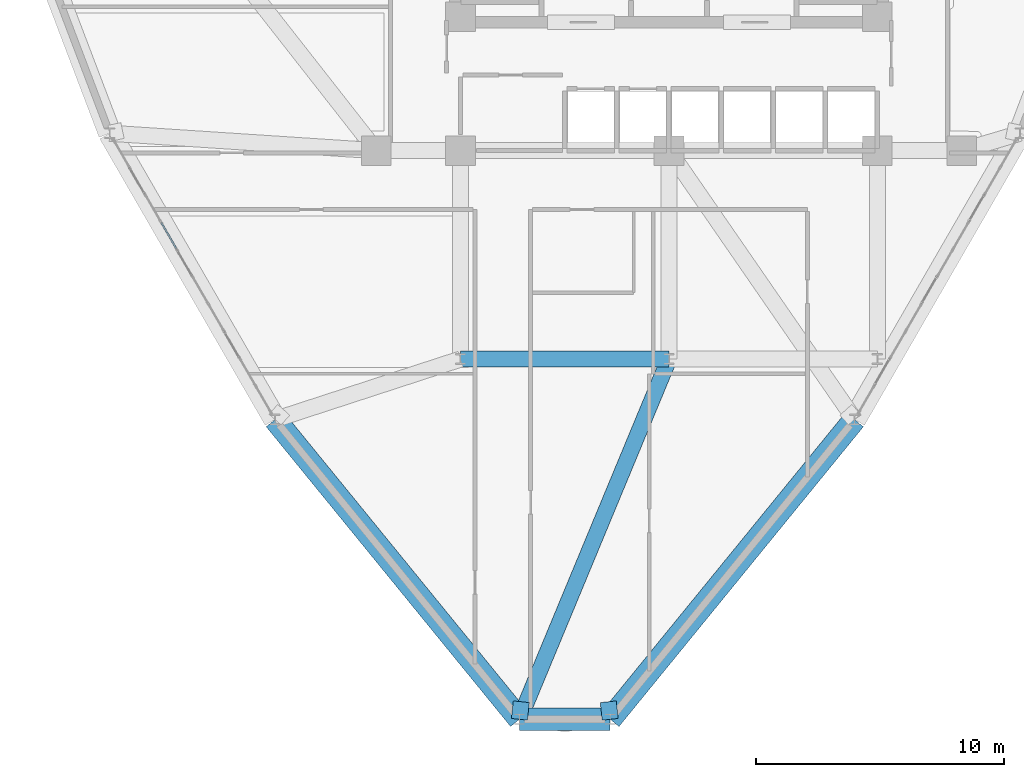
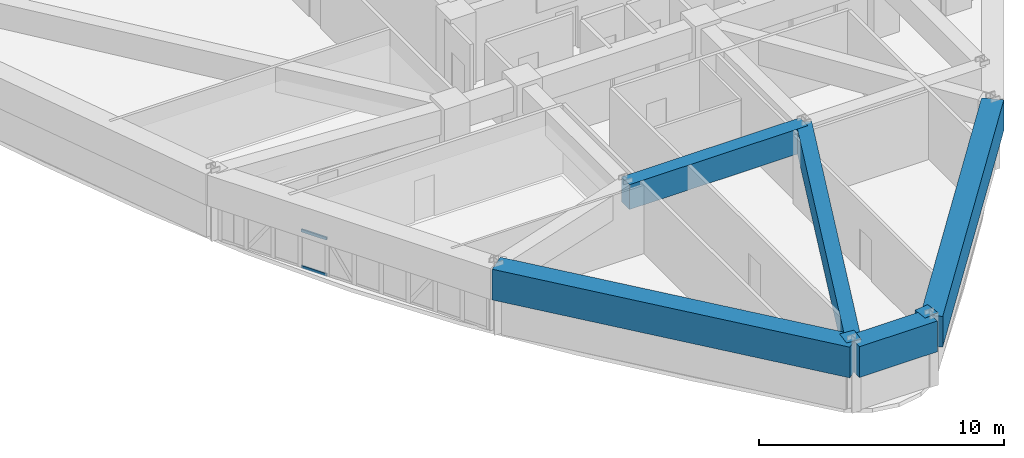
# One storey, part 3 of 16: 7 beams, 2 members, 1 element without a shape of its own.
"""IFC4 building model written with IfcOpenShell, lengths in metres."""

from ifc_helpers import new_model, si_unit, derived_unit, direction, frame, origin, origin_2d, place, context, subcontext, project, spatial, rectangle, hollow_rectangle, extrude, source, transform, mapped, material, layer, layer_set, material_profile, profile_set, type_object, element, aggregate, save


model = new_model("IFC4")

# Units and contexts
model_context = context("Model", 3, precision=1e-05, world=origin(), true_north=direction((0.0, 1.0)))
body_context = subcontext(model_context, "Body", "Model", "MODEL_VIEW")
ifc_project = project(units=[si_unit("LENGTHUNIT", "METRE"), si_unit("AREAUNIT", "SQUARE_METRE"), si_unit("VOLUMEUNIT", "CUBIC_METRE"), si_unit("PLANEANGLEUNIT", "RADIAN"), si_unit("MASSUNIT", "GRAM", prefix="KILO"), derived_unit("THERMALTRANSMITTANCEUNIT", [(si_unit("POWERUNIT", "WATT"), 1), (si_unit("LENGTHUNIT", "METRE"), -2), (si_unit("THERMODYNAMICTEMPERATUREUNIT", "KELVIN"), -1)])], contexts=[model_context])

# Site, building, storey
site_placement = place(None, origin())
site = spatial("IfcSite", under=ifc_project, at=site_placement, CompositionType="ELEMENT")
building_placement = place(site_placement, origin())
building = spatial("IfcBuilding", under=site, at=building_placement, Name="Korsvarv Bourse and Concert Hall", CompositionType="ELEMENT")
storey_placement = place(building_placement, frame((0.0, 0.0, 143.39990234375)))
storey = spatial("IfcBuildingStorey", under=building, at=storey_placement, Name="L36", CompositionType="ELEMENT", Elevation=143.39990234375)

# Beams
ifc_material_1 = material(Name="Concrete C50/60", Category="concrete")
ifc_material_profile_1 = material_profile(ifc_material_1, rectangle(XDim=0.64990234375, YDim=1.239990234375, at=origin_2d()), Name="RC-BM 650x1240")
ifc_profile_set_1 = profile_set([ifc_material_profile_1], Name="Concrete C50/60")
beam_type_1 = type_object("IfcBeamType", Name="BM-TR-SPN", PredefinedType="BEAM", material=ifc_profile_set_1)
shared_shape_1 = source(origin(), body_context, "Body", "SweptSolid", [
    extrude(rectangle(XDim=0.64990234375, YDim=1.239990234375, at=origin_2d()), origin(), (0.0, 0.0, 1.0), 8.39990234375),
])
beam_1_placement = place(storey_placement, frame((27.60009765625, 24.0, 2.780029296875), z_axis=(1.0, 0.0, 0.0), x_axis=(0.0, 1.0, 0.0)))
element("IfcBeam", 1, at=beam_1_placement, inside=storey, type_object=beam_type_1, Name="L36 beam B-TRS", PredefinedType="BEAM", context=body_context, shape_type="MappedRepresentation", body=[
    mapped(shared_shape_1, transform((0.0, 0.0, 0.0), scale=1.0)),
])
ifc_material_profile_2 = material_profile(ifc_material_1, rectangle(XDim=0.919921875, YDim=1.530029296875, at=origin_2d()), Name="RC-BM 920x1530")
ifc_profile_set_2 = profile_set([ifc_material_profile_2], Name="Concrete C50/60")
beam_type_2 = type_object("IfcBeamType", Name="BM-TR-154", PredefinedType="BEAM", material=ifc_profile_set_2)
shared_shape_2 = source(origin(), body_context, "Body", "SweptSolid", [
    extrude(rectangle(XDim=0.919921875, YDim=1.530029296875, at=origin_2d()), origin(), (0.0, 0.0, 1.0), 3.659423828125),
])
beam_2_placement = place(storey_placement, frame((29.97021484375, 9.47509765625, 2.635009765625), z_axis=(1.0, 0.0, 0.0), x_axis=(0.0, 1.0, 0.0)))
element("IfcBeam", 2, at=beam_2_placement, inside=storey, type_object=beam_type_2, Name="L36 beam B-TR6", PredefinedType="BEAM", context=body_context, shape_type="MappedRepresentation", body=[
    mapped(shared_shape_2, transform((0.0, 0.0, 0.0), scale=1.0)),
])
shared_shape_3 = source(origin(), body_context, "Body", "SweptSolid", [
    extrude(rectangle(XDim=0.919921875, YDim=1.530029296875, at=origin_2d()), origin(), (0.0, 0.0, 1.0), 15.5927734375),
])
beam_3_placement = place(storey_placement, frame((33.629638671875, 9.47509765625, 2.635009765625), z_axis=(0.63188029376, 0.77506599355, 0.0), x_axis=(-0.77506599355, 0.63188029376, 0.0)))
element("IfcBeam", 3, at=beam_3_placement, inside=storey, type_object=beam_type_2, Name="L36 beam B-TR6", PredefinedType="BEAM", context=body_context, shape_type="MappedRepresentation", body=[
    mapped(shared_shape_3, transform((0.0, 0.0, 0.0), scale=1.0)),
])
shared_shape_4 = source(origin(), body_context, "Body", "SweptSolid", [
    extrude(rectangle(XDim=0.919921875, YDim=1.530029296875, at=origin_2d()), origin(), (0.0, 0.0, 1.0), 15.592529296875),
])
beam_4_placement = place(storey_placement, frame((20.11767578125, 21.560546875, 2.635009765625), z_axis=(0.631870887873, -0.775073661698, 0.0), x_axis=(0.775073661698, 0.631870887873, 0.0)))
element("IfcBeam", 4, at=beam_4_placement, inside=storey, type_object=beam_type_2, Name="L36 beam B-TR6", PredefinedType="BEAM", context=body_context, shape_type="MappedRepresentation", body=[
    mapped(shared_shape_4, transform((0.0, 0.0, 0.0), scale=1.0)),
])
shared_shape_5 = source(origin(), body_context, "Body", "SweptSolid", [
    extrude(rectangle(XDim=0.64990234375, YDim=1.239990234375, at=origin_2d()), origin(), (0.0, 0.0, 1.0), 15.726806640625),
])
beam_5_placement = place(storey_placement, frame((29.97021484375, 9.47509765625, 2.780029296875), z_axis=(0.383409152916, 0.923578595172, 0.0), x_axis=(-0.923578595172, 0.383409152916, 0.0)))
element("IfcBeam", 5, at=beam_5_placement, inside=storey, type_object=beam_type_1, Name="L36 beam B-TRS", PredefinedType="BEAM", context=body_context, shape_type="MappedRepresentation", body=[
    mapped(shared_shape_5, transform((0.0, 0.0, 0.0), scale=1.0)),
])
shared_shape_6 = source(origin(), body_context, "Body", "SweptSolid", [
    extrude(rectangle(XDim=0.64990234375, YDim=1.239990234375, at=origin_2d()), origin(), (0.0, 0.0, 1.0), 0.712890625),
])
for number, where, z_axis, x_axis, name in (
    (6, (29.97021484375, 9.47509765625, 2.780029296875), (0.107875232066, 0.994164440275, 0.0), (-0.994164440275, 0.107875232066, 0.0), "L36 beam B-TRS"),
    (7, (33.629638671875, 9.47509765625, 2.780029296875), (-0.107536737515, 0.994201111488, 0.0), (-0.994201111488, -0.107536737515, 0.0), "L36 beam B-TRS"),
):
    element("IfcBeam", number, at=place(storey_placement, frame(where, z_axis=z_axis, x_axis=x_axis)), inside=storey, type_object=beam_type_1, Name=name, PredefinedType="BEAM", context=body_context, shape_type="MappedRepresentation", body=[
        mapped(shared_shape_6, transform((0.0, 0.0, 0.0), scale=1.0)),
    ])

# Curtain wall, members
ifc_material_2 = material(Name="Anodised aluminium and triple low-E glazing", Category="glass")
ifc_layer = layer(ifc_material_2, 0.2099609375)
ifc_layer_set = layer_set([ifc_layer], Name="Anodised aluminium and triple low-E glazing")
curtain_wall_type = type_object("IfcCurtainWallType", Name="CW-SYS-2", PredefinedType="NOTDEFINED", material=ifc_layer_set)
curtain_wall_placement = place(storey_placement, origin())
curtain_wall = element("IfcCurtainWall", 8, at=curtain_wall_placement, inside=storey, type_object=curtain_wall_type, Name="L36 CW2 curtain wall CW-L36-F07", PredefinedType="NOTDEFINED")
ifc_material_3 = material(Name="Extruded aluminium EN AW-6063 T66", Category="aluminium")
ifc_material_profile_3 = material_profile(ifc_material_3, hollow_rectangle(XDim=0.06494140625, YDim=0.139892578125, WallThickness=0.00390625, at=origin_2d()), Name="ALU-T 65x140")
ifc_profile_set_3 = profile_set([ifc_material_profile_3], Name="Extruded aluminium EN AW-6063 T66")
member_type = type_object("IfcMemberType", Name="CWT-140", PredefinedType="USERDEFINED", material=ifc_profile_set_3)
shared_shape_7 = source(origin(), body_context, "Body", "SweptSolid", [
    extrude(hollow_rectangle(XDim=0.06494140625, YDim=0.139892578125, WallThickness=0.00390625, at=origin_2d()), origin(), (0.0, 0.0, 1.0), 1.201171875),
])
member_1_placement = place(storey_placement, frame((15.5322265625, 29.502685546875, 0.03271484375), z_axis=(0.499986357472, -0.866033280158, 0.0), x_axis=(0.866033280158, 0.499986357472, 0.0)))
member_1 = element("IfcMember", 9, at=member_1_placement, type_object=member_type, Name="CW2 transom 4.1", ObjectType="TRANSOM", PredefinedType="USERDEFINED", context=body_context, shape_type="MappedRepresentation", body=[
    mapped(shared_shape_7, transform((0.0, 0.0, 0.0), scale=1.0)),
])
member_2_placement = place(storey_placement, frame((15.5322265625, 29.502685546875, 1.837646484375), z_axis=(0.499986357472, -0.866033280158, 0.0), x_axis=(0.866033280158, 0.499986357472, 0.0)))
member_2 = element("IfcMember", 10, at=member_2_placement, type_object=member_type, Name="CW2 transom 4.2", ObjectType="TRANSOM", PredefinedType="USERDEFINED", context=body_context, shape_type="MappedRepresentation", body=[
    mapped(shared_shape_7, transform((0.0, 0.0, 0.0), scale=1.0)),
])
aggregate(curtain_wall, [member_1, member_2])

save(model, "model.ifc")
